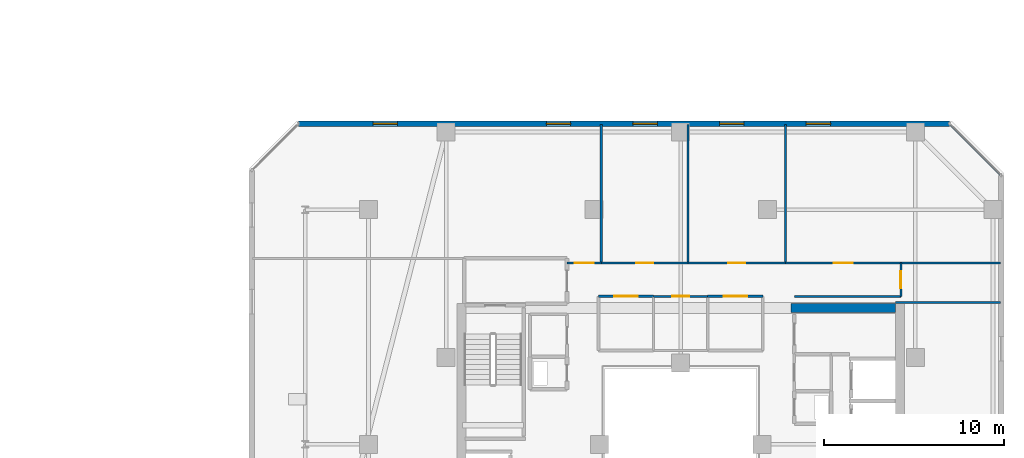
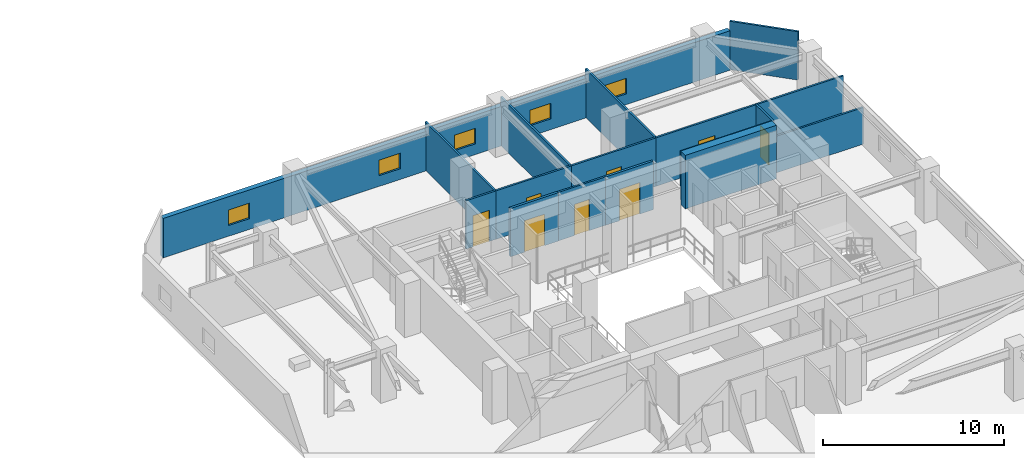
# One storey, part 26 of 33: 17 walls, 8 doors, 5 windows, 13 openings.
"""IFC4 building model written with IfcOpenShell, lengths in metres."""

from ifc_helpers import new_model, si_unit, direction, frame, frame_2d, origin, place, context, subcontext, project, spatial, rectangle, extrude, material, layer, layer_set, type_object, element, fill, save


model = new_model("IFC4")

# Units and contexts
model_context = context("Model", 3, precision=1e-05, world=origin(), true_north=direction((0.0, 1.0)))
body_context = subcontext(model_context, "Body", "Model", "MODEL_VIEW")
ifc_project = project(units=[si_unit("LENGTHUNIT", "METRE"), si_unit("AREAUNIT", "SQUARE_METRE"), si_unit("VOLUMEUNIT", "CUBIC_METRE"), si_unit("PLANEANGLEUNIT", "RADIAN"), si_unit("MASSUNIT", "GRAM", prefix="KILO")], contexts=[model_context])

# Site, building, storey
site_placement = place(None, origin())
site = spatial("IfcSite", under=ifc_project, at=site_placement, CompositionType="ELEMENT")
building_placement = place(site_placement, origin())
building = spatial("IfcBuilding", under=site, at=building_placement, Name="Thornwick Lancets Civic Towers", CompositionType="ELEMENT")
storey_placement = place(building_placement, frame((0.0, 0.0, 218.10009765625)))
storey = spatial("IfcBuildingStorey", under=building, at=storey_placement, Name="L58", CompositionType="ELEMENT", Elevation=218.10009765625)

# Wall
ifc_material_1 = material(Name="Concrete C50/60", Category="concrete")
ifc_layer_1 = layer(ifc_material_1, 0.5, Name="Concrete C50/60")
ifc_layer_set_1 = layer_set([ifc_layer_1], Name="Concrete C50/60")
wall_type_1 = type_object("IfcWallType", Name="WALL_CORE_500", PredefinedType="SHEAR", material=ifc_layer_set_1)
wall_1_placement = place(storey_placement, frame((94.60009765625, 34.550048828125, 0.0), z_axis=(0.0, 0.0, 1.0), x_axis=(1.0, 0.0, 0.0)))
element("IfcWall", 1, at=wall_1_placement, inside=storey, type_object=wall_type_1, Name="L58 Split Core B1 Shear Wall N", PredefinedType="SHEAR", context=body_context, shape_type="SweptSolid", body=[
    extrude(rectangle(XDim=5.7998046875, YDim=0.5, at=frame_2d((2.89990234375, 0.0))), origin(), (0.0, 0.0, 1.0), 3.599853515625),
])

# Wall, openings, windows
ifc_material_2 = material(Name="Insulated russet terracotta rainscreen on concrete C40/50", Category="masonry")
ifc_layer_2 = layer(ifc_material_2, 0.300048828125, Name="Insulated russet terracotta rainscreen on concrete C40/50")
ifc_layer_set_2 = layer_set([ifc_layer_2], Name="Insulated russet terracotta rainscreen on concrete C40/50")
wall_type_2 = type_object("IfcWallType", Name="WALL_EXT_RUSSET_300", PredefinedType="STANDARD", material=ifc_layer_set_2)
wall_2_placement = place(storey_placement, frame((103.405517578125, 44.763671875, 0.0), z_axis=(0.0, 0.0, 1.0), x_axis=(-0.999999999634, 2.7061402e-05, 0.0)))
wall_2 = element("IfcWall", 2, at=wall_2_placement, inside=storey, type_object=wall_type_2, Name="L58 Tower B Terracotta Facade Wall E4", PredefinedType="STANDARD", context=body_context, shape_type="SweptSolid", body=[
    extrude(rectangle(XDim=36.0869140625, YDim=0.300048828125, at=frame_2d((18.04345703125, 0.0))), origin(), (0.0, 0.0, 1.0), 2.659912109375),
])
opening_1_placement = place(wall_2_placement, frame((6.60009765625, 0.0, 0.719970703125)))
opening_1 = element("IfcOpeningElement", 3, at=opening_1_placement, cuts=wall_2, Name="Opening WL-03", PredefinedType="OPENING", context=body_context, shape_type="SweptSolid", body=[
    extrude(rectangle(XDim=1.35009765625, YDim=1.050048828125, at=frame_2d((0.675048828125, 0.52490234375))), frame((0.0, 0.16015625, 0.0), z_axis=(0.0, -1.0, 0.0), x_axis=(1.0, 0.0, 0.0)), (0.0, 0.0, 1.0), 0.320068359375),
])
opening_2_placement = place(wall_2_placement, frame((11.39990234375, 0.0, 0.719970703125)))
opening_2 = element("IfcOpeningElement", 4, at=opening_2_placement, cuts=wall_2, Name="Opening WL-03", PredefinedType="OPENING", context=body_context, shape_type="SweptSolid", body=[
    extrude(rectangle(XDim=1.35009765625, YDim=1.050048828125, at=frame_2d((0.675048828125, 0.52490234375))), frame((0.0, 0.16015625, 0.0), z_axis=(0.0, -1.0, 0.0), x_axis=(1.0, 0.0, 0.0)), (0.0, 0.0, 1.0), 0.320068359375),
])
opening_3_placement = place(wall_2_placement, frame((16.199951171875, 0.0, 0.719970703125)))
opening_3 = element("IfcOpeningElement", 5, at=opening_3_placement, cuts=wall_2, Name="Opening WL-03", PredefinedType="OPENING", context=body_context, shape_type="SweptSolid", body=[
    extrude(rectangle(XDim=1.35009765625, YDim=1.050048828125, at=frame_2d((0.675048828125, 0.52490234375))), frame((0.0, 0.16015625, 0.0), z_axis=(0.0, -1.0, 0.0), x_axis=(1.0, 0.0, 0.0)), (0.0, 0.0, 1.0), 0.320068359375),
])
opening_4_placement = place(wall_2_placement, frame((21.0, 0.0, 0.719970703125)))
opening_4 = element("IfcOpeningElement", 6, at=opening_4_placement, cuts=wall_2, Name="Opening WL-03", PredefinedType="OPENING", context=body_context, shape_type="SweptSolid", body=[
    extrude(rectangle(XDim=1.35009765625, YDim=1.050048828125, at=frame_2d((0.675048828125, 0.52490234375))), frame((0.0, 0.16015625, 0.0), z_axis=(0.0, -1.0, 0.0), x_axis=(1.0, 0.0, 0.0)), (0.0, 0.0, 1.0), 0.320068359375),
])
opening_5_placement = place(wall_2_placement, frame((30.60009765625, 0.0, 0.719970703125)))
opening_5 = element("IfcOpeningElement", 7, at=opening_5_placement, cuts=wall_2, Name="Opening WL-03", PredefinedType="OPENING", context=body_context, shape_type="SweptSolid", body=[
    extrude(rectangle(XDim=1.35009765625, YDim=1.050048828125, at=frame_2d((0.675048828125, 0.52490234375))), frame((0.0, 0.16015625, 0.0), z_axis=(0.0, -1.0, 0.0), x_axis=(1.0, 0.0, 0.0)), (0.0, 0.0, 1.0), 0.320068359375),
])
ifc_material_3 = material(Name="Clear low-e double glazing clerestory lancet", Category="glass")
window_type = type_object("IfcWindowType", Name="WIN_LANCET_1350", PartitioningType="SINGLE_PANEL", PredefinedType="WINDOW", material=ifc_material_3)
window_1_placement = place(opening_1_placement, origin())
window_1 = element("IfcWindow", 8, at=window_1_placement, inside=storey, type_object=window_type, Name="L58 Tower B Staggered Lancet Window E4-1", OverallHeight=1.050048828125, OverallWidth=1.35009765625, PartitioningType="SINGLE_PANEL", PredefinedType="WINDOW", context=body_context, shape_type="SweptSolid", body=[
    extrude(rectangle(XDim=1.35009765625, YDim=1.050048828125, at=frame_2d((0.675048828125, 0.52490234375))), frame((0.0, 0.030029296875, 0.0), z_axis=(0.0, -1.0, 0.0), x_axis=(1.0, 0.0, 0.0)), (0.0, 0.0, 1.0), 0.06005859375),
])
fill(opening_1, window_1)
window_2_placement = place(opening_2_placement, origin())
window_2 = element("IfcWindow", 9, at=window_2_placement, inside=storey, type_object=window_type, Name="L58 Tower B Staggered Lancet Window E4-2", OverallHeight=1.050048828125, OverallWidth=1.35009765625, PartitioningType="SINGLE_PANEL", PredefinedType="WINDOW", context=body_context, shape_type="SweptSolid", body=[
    extrude(rectangle(XDim=1.35009765625, YDim=1.050048828125, at=frame_2d((0.675048828125, 0.52490234375))), frame((0.0, 0.030029296875, 0.0), z_axis=(0.0, -1.0, 0.0), x_axis=(1.0, 0.0, 0.0)), (0.0, 0.0, 1.0), 0.06005859375),
])
fill(opening_2, window_2)
window_3_placement = place(opening_3_placement, origin())
window_3 = element("IfcWindow", 10, at=window_3_placement, inside=storey, type_object=window_type, Name="L58 Tower B Staggered Lancet Window E4-3", OverallHeight=1.050048828125, OverallWidth=1.35009765625, PartitioningType="SINGLE_PANEL", PredefinedType="WINDOW", context=body_context, shape_type="SweptSolid", body=[
    extrude(rectangle(XDim=1.35009765625, YDim=1.050048828125, at=frame_2d((0.675048828125, 0.52490234375))), frame((0.0, 0.030029296875, 0.0), z_axis=(0.0, -1.0, 0.0), x_axis=(1.0, 0.0, 0.0)), (0.0, 0.0, 1.0), 0.06005859375),
])
fill(opening_3, window_3)
window_4_placement = place(opening_4_placement, origin())
window_4 = element("IfcWindow", 11, at=window_4_placement, inside=storey, type_object=window_type, Name="L58 Tower B Staggered Lancet Window E4-4", OverallHeight=1.050048828125, OverallWidth=1.35009765625, PartitioningType="SINGLE_PANEL", PredefinedType="WINDOW", context=body_context, shape_type="SweptSolid", body=[
    extrude(rectangle(XDim=1.35009765625, YDim=1.050048828125, at=frame_2d((0.675048828125, 0.52490234375))), frame((0.0, 0.030029296875, 0.0), z_axis=(0.0, -1.0, 0.0), x_axis=(1.0, 0.0, 0.0)), (0.0, 0.0, 1.0), 0.06005859375),
])
fill(opening_4, window_4)
window_5_placement = place(opening_5_placement, origin())
window_5 = element("IfcWindow", 12, at=window_5_placement, inside=storey, type_object=window_type, Name="L58 Tower B Staggered Lancet Window E4-5", OverallHeight=1.050048828125, OverallWidth=1.35009765625, PartitioningType="SINGLE_PANEL", PredefinedType="WINDOW", context=body_context, shape_type="SweptSolid", body=[
    extrude(rectangle(XDim=1.35009765625, YDim=1.050048828125, at=frame_2d((0.675048828125, 0.52490234375))), frame((0.0, 0.030029296875, 0.0), z_axis=(0.0, -1.0, 0.0), x_axis=(1.0, 0.0, 0.0)), (0.0, 0.0, 1.0), 0.06005859375),
])
fill(opening_5, window_5)

# Wall
ifc_material_4 = material(Name="Acoustic gypsum board partition")
ifc_layer_3 = layer(ifc_material_4, 0.1201171875, Name="Acoustic gypsum board partition")
ifc_layer_set_3 = layer_set([ifc_layer_3], Name="Acoustic gypsum board partition")
wall_type_3 = type_object("IfcWallType", Name="WALL_PART_120", PredefinedType="PARTITIONING", material=ifc_layer_set_3)
wall_3_placement = place(storey_placement, frame((94.800048828125, 35.199951171875, 0.0), z_axis=(0.0, 0.0, 1.0), x_axis=(1.0, 0.0, 0.0)))
element("IfcWall", 13, at=wall_3_placement, inside=storey, type_object=wall_type_3, Name="L58 Partition L58-B-RECLAIM-L E2", PredefinedType="PARTITIONING", context=body_context, shape_type="SweptSolid", body=[
    extrude(rectangle(XDim=5.89990234375, YDim=0.1201171875, at=frame_2d((2.949951171875, 0.0))), origin(), (0.0, 0.0, 1.0), 3.260009765625),
])

# Wall, opening, door
wall_4_placement = place(storey_placement, frame((100.699951171875, 35.199951171875, 0.0), z_axis=(0.0, 0.0, 1.0), x_axis=(0.0, 1.0, 0.0)))
wall_4 = element("IfcWall", 14, at=wall_4_placement, inside=storey, type_object=wall_type_3, Name="L58 Partition L58-B-RECLAIM-L E3", PredefinedType="PARTITIONING", context=body_context, shape_type="SweptSolid", body=[
    extrude(rectangle(XDim=1.85009765625, YDim=0.1201171875, at=frame_2d((0.925048828125, 0.0))), origin(), (0.0, 0.0, 1.0), 3.260009765625),
])
opening_6_placement = place(wall_4_placement, frame((0.449951171875, 0.0, 0.0)))
opening_6 = element("IfcOpeningElement", 15, at=opening_6_placement, cuts=wall_4, Name="Opening D-L58-2619", PredefinedType="OPENING", context=body_context, shape_type="SweptSolid", body=[
    extrude(rectangle(XDim=0.949951171875, YDim=2.10009765625, at=frame_2d((0.47509765625, 1.050048828125))), frame((0.0, 0.070068359375, 0.0), z_axis=(0.0, -1.0, 0.0), x_axis=(1.0, 0.0, 0.0)), (0.0, 0.0, 1.0), 0.14013671875),
])
ifc_material_5 = material(Name="European oak acoustic doorset")
door_type_1 = type_object("IfcDoorType", Name="DOOR_OFFICE_950", OperationType="NOTDEFINED", PredefinedType="DOOR", material=ifc_material_5)
door_1_placement = place(opening_6_placement, origin())
door_1 = element("IfcDoor", 16, at=door_1_placement, inside=storey, type_object=door_type_1, Name="L58 Tower B Parliamentary Drafting Library Door", OperationType="SINGLE_SWING_RIGHT", OverallHeight=2.10009765625, OverallWidth=0.949951171875, PredefinedType="DOOR", context=body_context, shape_type="SweptSolid", body=[
    extrude(rectangle(XDim=0.949951171875, YDim=2.10009765625, at=frame_2d((0.47509765625, 1.050048828125))), frame((0.0, 0.02490234375, 0.0), z_axis=(0.0, -1.0, 0.0), x_axis=(1.0, 0.0, 0.0)), (0.0, 0.0, 1.0), 0.050048828125),
])
fill(opening_6, door_1)

# Walls
wall_5_placement = place(storey_placement, frame((100.699951171875, 37.050048828125, 0.0), z_axis=(0.0, 0.0, 1.0), x_axis=(1.0, 0.0, 0.0)))
element("IfcWall", 17, at=wall_5_placement, inside=storey, type_object=wall_type_3, Name="L58 Partition L58-B-RECLAIM-L E4", PredefinedType="PARTITIONING", context=body_context, shape_type="SweptSolid", body=[
    extrude(rectangle(XDim=5.52001953125, YDim=0.1201171875, at=frame_2d((2.760009765625, 0.0))), origin(), (0.0, 0.0, 1.0), 3.260009765625),
])
wall_6_placement = place(storey_placement, frame((106.219970703125, 34.85009765625, 0.0), z_axis=(0.0, 0.0, 1.0), x_axis=(-1.0, 0.0, 0.0)))
element("IfcWall", 18, at=wall_6_placement, inside=storey, type_object=wall_type_3, Name="L58 Partition L58-B-RECLAIM-L E6", PredefinedType="PARTITIONING", context=body_context, shape_type="SweptSolid", body=[
    extrude(rectangle(XDim=5.820068359375, YDim=0.1201171875, at=frame_2d((2.91015625, 0.0))), origin(), (0.0, 0.0, 1.0), 2.46484375),
])

# Wall, opening, door
wall_7_placement = place(storey_placement, frame((100.699951171875, 37.050048828125, 0.0), z_axis=(0.0, 0.0, 1.0), x_axis=(-1.0, 0.0, 0.0)))
wall_7 = element("IfcWall", 19, at=wall_7_placement, inside=storey, type_object=wall_type_3, Name="L58 Partition L58-B-E1 E1", PredefinedType="PARTITIONING", context=body_context, shape_type="SweptSolid", body=[
    extrude(rectangle(XDim=6.39990234375, YDim=0.1201171875, at=frame_2d((3.199951171875, 0.0))), origin(), (0.0, 0.0, 1.0), 3.260009765625),
])
opening_7_placement = place(wall_7_placement, frame((2.675048828125, 0.0, 0.0)))
opening_7 = element("IfcOpeningElement", 20, at=opening_7_placement, cuts=wall_7, Name="Opening D-L58-2628", PredefinedType="OPENING", context=body_context, shape_type="SweptSolid", body=[
    extrude(rectangle(XDim=1.050048828125, YDim=2.10009765625, at=frame_2d((0.52490234375, 1.050048828125))), frame((0.0, 0.070068359375, 0.0), z_axis=(0.0, -1.0, 0.0), x_axis=(1.0, 0.0, 0.0)), (0.0, 0.0, 1.0), 0.14013671875),
])
ifc_material_6 = material(Name="Glazed European oak executive doorset")
door_type_2 = type_object("IfcDoorType", Name="DOOR_OFFICE_1050", OperationType="NOTDEFINED", PredefinedType="DOOR", material=ifc_material_6)
door_2_placement = place(opening_7_placement, origin())
door_2 = element("IfcDoor", 21, at=door_2_placement, inside=storey, type_object=door_type_2, Name="L58 Tower B Secretariat Open Office E1 Door", OperationType="SINGLE_SWING_LEFT", OverallHeight=2.10009765625, OverallWidth=1.050048828125, PredefinedType="DOOR", context=body_context, shape_type="SweptSolid", body=[
    extrude(rectangle(XDim=1.050048828125, YDim=2.10009765625, at=frame_2d((0.52490234375, 1.050048828125))), frame((0.0, 0.02490234375, 0.0), z_axis=(0.0, -1.0, 0.0), x_axis=(1.0, 0.0, 0.0)), (0.0, 0.0, 1.0), 0.050048828125),
])
fill(opening_7, door_2)

# Walls
wall_8_placement = place(storey_placement, frame((94.300048828125, 37.050048828125, 0.0), z_axis=(0.0, 0.0, 1.0), x_axis=(0.0, 1.0, 0.0)))
element("IfcWall", 22, at=wall_8_placement, inside=storey, type_object=wall_type_3, Name="L58 Partition L58-B-E1 E2", PredefinedType="PARTITIONING", context=body_context, shape_type="SweptSolid", body=[
    extrude(rectangle(XDim=7.669921875, YDim=0.1201171875, at=frame_2d((3.8349609375, 0.0))), origin(), (0.0, 0.0, 1.0), 3.260009765625),
])
wall_9_placement = place(storey_placement, frame((103.448486328125, 44.719970703125, 0.0), z_axis=(0.0, 0.0, 1.0), x_axis=(0.707106781187, -0.707106781187, 0.0)))
element("IfcWall", 23, at=wall_9_placement, inside=storey, type_object=wall_type_3, Name="L58 Partition L58-B-E1 E4", PredefinedType="PARTITIONING", context=body_context, shape_type="SweptSolid", body=[
    extrude(rectangle(XDim=3.91943359375, YDim=0.1201171875, at=frame_2d((1.959716796875, 0.0))), origin(), (0.0, 0.0, 1.0), 3.260009765625),
])
wall_10_placement = place(storey_placement, frame((88.89990234375, 37.050048828125, 0.0), z_axis=(0.0, 0.0, 1.0), x_axis=(0.0, 1.0, 0.0)))
element("IfcWall", 24, at=wall_10_placement, inside=storey, type_object=wall_type_3, Name="L58 Partition L58-B-E2 E1", PredefinedType="PARTITIONING", context=body_context, shape_type="SweptSolid", body=[
    extrude(rectangle(XDim=7.669921875, YDim=0.1201171875, at=frame_2d((3.8349609375, 0.0))), origin(), (0.0, 0.0, 1.0), 3.260009765625),
])

# Wall, opening, door
wall_11_placement = place(storey_placement, frame((94.300048828125, 37.050048828125, 0.0), z_axis=(0.0, 0.0, 1.0), x_axis=(-1.0, 0.0, 0.0)))
wall_11 = element("IfcWall", 25, at=wall_11_placement, inside=storey, type_object=wall_type_3, Name="L58 Partition L58-B-E2 E4", PredefinedType="PARTITIONING", context=body_context, shape_type="SweptSolid", body=[
    extrude(rectangle(XDim=5.400146484375, YDim=0.1201171875, at=frame_2d((2.7001953125, 0.0))), origin(), (0.0, 0.0, 1.0), 3.260009765625),
])
opening_8_placement = place(wall_11_placement, frame((2.22509765625, 0.0, 0.0)))
opening_8 = element("IfcOpeningElement", 26, at=opening_8_placement, cuts=wall_11, Name="Opening D-L58-2629", PredefinedType="OPENING", context=body_context, shape_type="SweptSolid", body=[
    extrude(rectangle(XDim=0.949951171875, YDim=2.10009765625, at=frame_2d((0.47509765625, 1.050048828125))), frame((0.0, 0.070068359375, 0.0), z_axis=(0.0, -1.0, 0.0), x_axis=(1.0, 0.0, 0.0)), (0.0, 0.0, 1.0), 0.14013671875),
])
door_3_placement = place(opening_8_placement, origin())
door_3 = element("IfcDoor", 27, at=door_3_placement, inside=storey, type_object=door_type_1, Name="L58 Tower B Visitors Reception and Waiting Door", OperationType="SINGLE_SWING_RIGHT", OverallHeight=2.10009765625, OverallWidth=0.949951171875, PredefinedType="DOOR", context=body_context, shape_type="SweptSolid", body=[
    extrude(rectangle(XDim=0.949951171875, YDim=2.10009765625, at=frame_2d((0.47509765625, 1.050048828125))), frame((0.0, 0.02490234375, 0.0), z_axis=(0.0, -1.0, 0.0), x_axis=(1.0, 0.0, 0.0)), (0.0, 0.0, 1.0), 0.050048828125),
])
fill(opening_8, door_3)

# Wall
wall_12_placement = place(storey_placement, frame((84.10009765625, 37.050048828125, 0.0), z_axis=(0.0, 0.0, 1.0), x_axis=(0.0, 1.0, 0.0)))
element("IfcWall", 28, at=wall_12_placement, inside=storey, type_object=wall_type_3, Name="L58 Partition L58-B-E3 E1", PredefinedType="PARTITIONING", context=body_context, shape_type="SweptSolid", body=[
    extrude(rectangle(XDim=7.669921875, YDim=0.1201171875, at=frame_2d((3.8349609375, 0.0))), origin(), (0.0, 0.0, 1.0), 3.260009765625),
])

# Wall, opening, door
wall_13_placement = place(storey_placement, frame((88.89990234375, 37.050048828125, 0.0), z_axis=(0.0, 0.0, 1.0), x_axis=(-1.0, 0.0, 0.0)))
wall_13 = element("IfcWall", 29, at=wall_13_placement, inside=storey, type_object=wall_type_3, Name="L58 Partition L58-B-E3 E4", PredefinedType="PARTITIONING", context=body_context, shape_type="SweptSolid", body=[
    extrude(rectangle(XDim=4.7998046875, YDim=0.1201171875, at=frame_2d((2.39990234375, 0.0))), origin(), (0.0, 0.0, 1.0), 3.260009765625),
])
opening_9_placement = place(wall_13_placement, frame((1.925048828125, 0.0, 0.0)))
opening_9 = element("IfcOpeningElement", 30, at=opening_9_placement, cuts=wall_13, Name="Opening D-L58-2630", PredefinedType="OPENING", context=body_context, shape_type="SweptSolid", body=[
    extrude(rectangle(XDim=0.949951171875, YDim=2.10009765625, at=frame_2d((0.47509765625, 1.050048828125))), frame((0.0, 0.070068359375, 0.0), z_axis=(0.0, -1.0, 0.0), x_axis=(1.0, 0.0, 0.0)), (0.0, 0.0, 1.0), 0.14013671875),
])
door_4_placement = place(opening_9_placement, origin())
door_4 = element("IfcDoor", 31, at=door_4_placement, inside=storey, type_object=door_type_1, Name="L58 Tower B Civic Seminar Room Door", OperationType="SINGLE_SWING_LEFT", OverallHeight=2.10009765625, OverallWidth=0.949951171875, PredefinedType="DOOR", context=body_context, shape_type="SweptSolid", body=[
    extrude(rectangle(XDim=0.949951171875, YDim=2.10009765625, at=frame_2d((0.47509765625, 1.050048828125))), frame((0.0, 0.02490234375, 0.0), z_axis=(0.0, -1.0, 0.0), x_axis=(1.0, 0.0, 0.0)), (0.0, 0.0, 1.0), 0.050048828125),
])
fill(opening_9, door_4)

wall_14_placement = place(storey_placement, frame((84.10009765625, 37.050048828125, 0.0), z_axis=(0.0, 0.0, 1.0), x_axis=(-1.0, 0.0, 0.0)))
wall_14 = element("IfcWall", 32, at=wall_14_placement, inside=storey, type_object=wall_type_3, Name="L58 Partition L58-B-E4 E8", PredefinedType="PARTITIONING", context=body_context, shape_type="SweptSolid", body=[
    extrude(rectangle(XDim=1.900146484375, YDim=0.1201171875, at=frame_2d((0.9501953125, 0.0))), origin(), (0.0, 0.0, 1.0), 3.260009765625),
])
opening_10_placement = place(wall_14_placement, frame((0.425048828125, 0.0, 0.0)))
opening_10 = element("IfcOpeningElement", 33, at=opening_10_placement, cuts=wall_14, Name="Opening D-L58-2631", PredefinedType="OPENING", context=body_context, shape_type="SweptSolid", body=[
    extrude(rectangle(XDim=1.050048828125, YDim=2.10009765625, at=frame_2d((0.52490234375, 1.050048828125))), frame((0.0, 0.070068359375, 0.0), z_axis=(0.0, -1.0, 0.0), x_axis=(1.0, 0.0, 0.0)), (0.0, 0.0, 1.0), 0.14013671875),
])
door_5_placement = place(opening_10_placement, origin())
door_5 = element("IfcDoor", 34, at=door_5_placement, inside=storey, type_object=door_type_2, Name="L58 Tower B Legislative Drafting Suite E4 Door", OperationType="SINGLE_SWING_RIGHT", OverallHeight=2.10009765625, OverallWidth=1.050048828125, PredefinedType="DOOR", context=body_context, shape_type="SweptSolid", body=[
    extrude(rectangle(XDim=1.050048828125, YDim=2.10009765625, at=frame_2d((0.52490234375, 1.050048828125))), frame((0.0, 0.02490234375, 0.0), z_axis=(0.0, -1.0, 0.0), x_axis=(1.0, 0.0, 0.0)), (0.0, 0.0, 1.0), 0.050048828125),
])
fill(opening_10, door_5)

wall_15_placement = place(storey_placement, frame((87.0, 35.199951171875, 0.0), z_axis=(0.0, 0.0, 1.0), x_axis=(1.0, 0.0, 0.0)))
wall_15 = element("IfcWall", 35, at=wall_15_placement, inside=storey, type_object=wall_type_3, Name="L58 Partition L58-B-E-ATR-2 E2", PredefinedType="PARTITIONING", context=body_context, shape_type="SweptSolid", body=[
    extrude(rectangle(XDim=3.0, YDim=0.1201171875, at=frame_2d((1.5, 0.0))), origin(), (0.0, 0.0, 1.0), 3.260009765625),
])
opening_11_placement = place(wall_15_placement, frame((1.02490234375, 0.0, 0.0)))
opening_11 = element("IfcOpeningElement", 36, at=opening_11_placement, cuts=wall_15, Name="Opening D-L58-2633", PredefinedType="OPENING", context=body_context, shape_type="SweptSolid", body=[
    extrude(rectangle(XDim=0.949951171875, YDim=2.10009765625, at=frame_2d((0.47509765625, 1.050048828125))), frame((0.0, 0.070068359375, 0.0), z_axis=(0.0, -1.0, 0.0), x_axis=(1.0, 0.0, 0.0)), (0.0, 0.0, 1.0), 0.14013671875),
])
door_6_placement = place(opening_11_placement, origin())
door_6 = element("IfcDoor", 37, at=door_6_placement, inside=storey, type_object=door_type_1, Name="L58 Tower B Atrium Research Suite Door", OperationType="SINGLE_SWING_RIGHT", OverallHeight=2.10009765625, OverallWidth=0.949951171875, PredefinedType="DOOR", context=body_context, shape_type="SweptSolid", body=[
    extrude(rectangle(XDim=0.949951171875, YDim=2.10009765625, at=frame_2d((0.47509765625, 1.050048828125))), frame((0.0, 0.02490234375, 0.0), z_axis=(0.0, -1.0, 0.0), x_axis=(1.0, 0.0, 0.0)), (0.0, 0.0, 1.0), 0.050048828125),
])
fill(opening_11, door_6)

ifc_material_7 = material(Name="Twin-stud acoustic gypsum board")
ifc_layer_4 = layer(ifc_material_7, 0.14990234375, Name="Twin-stud acoustic gypsum board")
ifc_layer_set_4 = layer_set([ifc_layer_4], Name="Twin-stud acoustic gypsum board")
wall_type_4 = type_object("IfcWallType", Name="WALL_PART_150", PredefinedType="PARTITIONING", material=ifc_layer_set_4)
wall_16_placement = place(storey_placement, frame((90.0, 35.199951171875, 0.0), z_axis=(0.0, 0.0, 1.0), x_axis=(1.0, 0.0, 0.0)))
wall_16 = element("IfcWall", 38, at=wall_16_placement, inside=storey, type_object=wall_type_4, Name="L58 Partition L58-B-E-ATR-1 E2", PredefinedType="PARTITIONING", context=body_context, shape_type="SweptSolid", body=[
    extrude(rectangle(XDim=3.050048828125, YDim=0.14990234375, at=frame_2d((1.52490234375, 0.0))), origin(), (0.0, 0.0, 1.0), 3.260009765625),
])
opening_12_placement = place(wall_16_placement, frame((0.875, 0.0, 0.0)))
opening_12 = element("IfcOpeningElement", 39, at=opening_12_placement, cuts=wall_16, Name="Opening D-L58-2632", PredefinedType="OPENING", context=body_context, shape_type="SweptSolid", body=[
    extrude(rectangle(XDim=1.300048828125, YDim=2.1201171875, at=frame_2d((0.64990234375, 1.06005859375))), frame((0.0, 0.0849609375, 0.0), z_axis=(0.0, -1.0, 0.0), x_axis=(1.0, 0.0, 0.0)), (0.0, 0.0, 1.0), 0.169921875),
])
ifc_material_8 = material(Name="Acoustic oak leaf-and-a-half doorset")
door_type_3 = type_object("IfcDoorType", Name="DOOR_MEET_1300", OperationType="DOUBLE_DOOR_SINGLE_SWING", PredefinedType="DOOR", material=ifc_material_8)
door_7_placement = place(opening_12_placement, origin())
door_7 = element("IfcDoor", 40, at=door_7_placement, inside=storey, type_object=door_type_3, Name="L58 Tower B Atrium Briefing Room Door", OperationType="DOUBLE_DOOR_SINGLE_SWING", OverallHeight=2.1201171875, OverallWidth=1.300048828125, PredefinedType="DOOR", context=body_context, shape_type="SweptSolid", body=[
    extrude(rectangle(XDim=1.300048828125, YDim=2.1201171875, at=frame_2d((0.64990234375, 1.06005859375))), frame((0.0, 0.02490234375, 0.0), z_axis=(0.0, -1.0, 0.0), x_axis=(1.0, 0.0, 0.0)), (0.0, 0.0, 1.0), 0.050048828125),
])
fill(opening_12, door_7)

wall_17_placement = place(storey_placement, frame((83.949951171875, 35.199951171875, 0.0), z_axis=(0.0, 0.0, 1.0), x_axis=(1.0, 0.0, 0.0)))
wall_17 = element("IfcWall", 41, at=wall_17_placement, inside=storey, type_object=wall_type_4, Name="L58 Partition L58-B-E-ATR-3 E2", PredefinedType="PARTITIONING", context=body_context, shape_type="SweptSolid", body=[
    extrude(rectangle(XDim=3.050048828125, YDim=0.14990234375, at=frame_2d((1.52490234375, 0.0))), origin(), (0.0, 0.0, 1.0), 3.260009765625),
])
opening_13_placement = place(wall_17_placement, frame((0.875, 0.0, 0.0)))
opening_13 = element("IfcOpeningElement", 42, at=opening_13_placement, cuts=wall_17, Name="Opening D-L58-2634", PredefinedType="OPENING", context=body_context, shape_type="SweptSolid", body=[
    extrude(rectangle(XDim=1.300048828125, YDim=2.1201171875, at=frame_2d((0.64990234375, 1.06005859375))), frame((0.0, 0.0849609375, 0.0), z_axis=(0.0, -1.0, 0.0), x_axis=(1.0, 0.0, 0.0)), (0.0, 0.0, 1.0), 0.169921875),
])
door_8_placement = place(opening_13_placement, origin())
door_8 = element("IfcDoor", 43, at=door_8_placement, inside=storey, type_object=door_type_3, Name="L58 Tower B Atrium Consultation Chamber Door", OperationType="DOUBLE_DOOR_SINGLE_SWING", OverallHeight=2.1201171875, OverallWidth=1.300048828125, PredefinedType="DOOR", context=body_context, shape_type="SweptSolid", body=[
    extrude(rectangle(XDim=1.300048828125, YDim=2.1201171875, at=frame_2d((0.64990234375, 1.06005859375))), frame((0.0, 0.02490234375, 0.0), z_axis=(0.0, -1.0, 0.0), x_axis=(1.0, 0.0, 0.0)), (0.0, 0.0, 1.0), 0.050048828125),
])
fill(opening_13, door_8)

save(model, "model.ifc")
